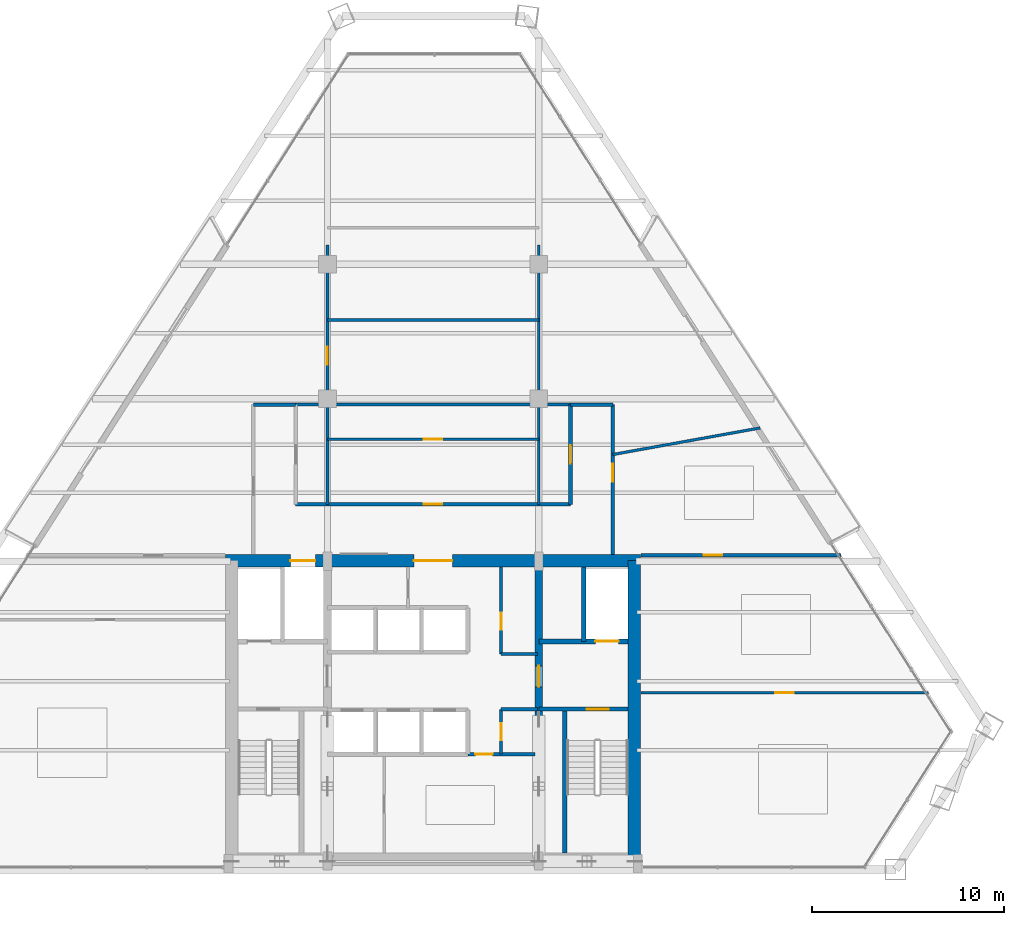
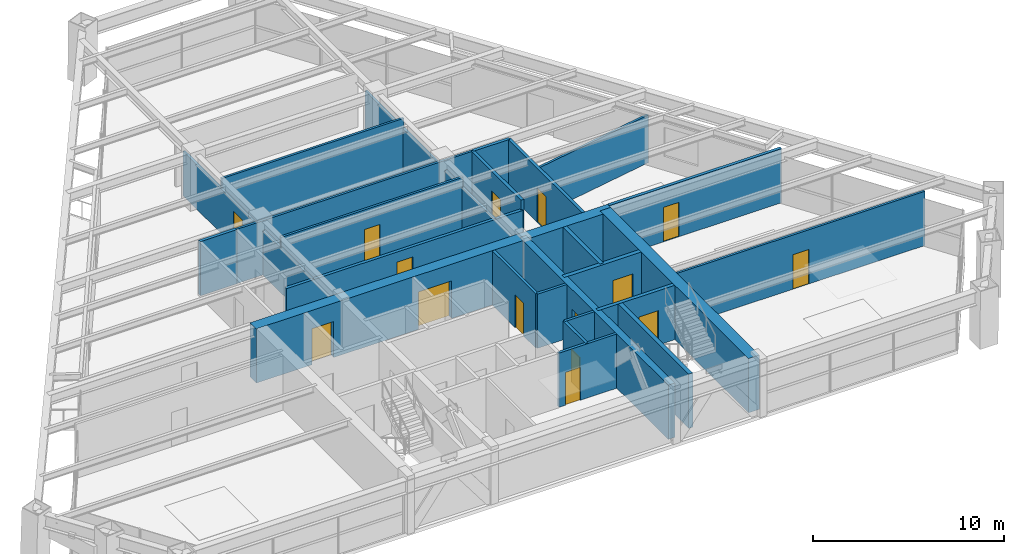
# One storey, part 12 of 15: 25 walls, 15 doors, 15 openings.
"""IFC4 building model written with IfcOpenShell, lengths in metres."""

from ifc_helpers import new_model, si_unit, direction, frame, frame_2d, origin, place, context, subcontext, project, spatial, rectangle, extrude, source, transform, mapped, material, layer, layer_set, type_object, type_shapes, element, fill, save


model = new_model("IFC4")

# Units and contexts
model_context = context("Model", 3, precision=1e-05, world=origin(), true_north=direction((0.0, 1.0)))
body_context = subcontext(model_context, "Body", "Model", "MODEL_VIEW")
ifc_project = project(units=[si_unit("LENGTHUNIT", "METRE"), si_unit("AREAUNIT", "SQUARE_METRE"), si_unit("VOLUMEUNIT", "CUBIC_METRE"), si_unit("PLANEANGLEUNIT", "RADIAN"), si_unit("MASSUNIT", "GRAM", prefix="KILO")], contexts=[model_context])

# Site, building, storey
site_placement = place(None, origin())
site = spatial("IfcSite", under=ifc_project, at=site_placement, CompositionType="ELEMENT")
building_placement = place(site_placement, origin())
building = spatial("IfcBuilding", under=site, at=building_placement, Name="Varnakhor Terracotta Tower", CompositionType="ELEMENT")
storey_placement = place(building_placement, frame((0.0, 0.0, 158.89990234375)))
storey = spatial("IfcBuildingStorey", under=building, at=storey_placement, Name="L40", CompositionType="ELEMENT", Elevation=158.89990234375)

# Wall, openings, doors
ifc_material_1 = material(Name="Concrete C50/60", Category="concrete")
ifc_layer_1 = layer(ifc_material_1, 0.64990234375, Name="Concrete C50/60")
ifc_layer_set_1 = layer_set([ifc_layer_1], Name="Concrete C50/60")
wall_type_1 = type_object("IfcWallType", Name="WAL-CORE-650", PredefinedType="SHEAR", material=ifc_layer_set_1)
wall_1_placement = place(storey_placement, frame((-10.800048828125, 16.074951171875, 0.0), z_axis=(0.0, 0.0, 1.0), x_axis=(1.0, 0.0, 0.0)))
wall_1 = element("IfcWall", 1, at=wall_1_placement, inside=storey, type_object=wall_type_1, Name="L40 North Core Shear Wall", PredefinedType="SHEAR", context=body_context, shape_type="SweptSolid", body=[
    extrude(rectangle(XDim=21.60009765625, YDim=0.64990234375, at=frame_2d((10.800048828125, 0.0))), origin(), (0.0, 0.0, 1.0), 3.47021484375),
])
opening_1_placement = place(wall_1_placement, frame((3.3701171875, 0.0, 0.0)))
opening_1 = element("IfcOpeningElement", 2, at=opening_1_placement, cuts=wall_1, Name="Opening LD-03", PredefinedType="OPENING", context=body_context, shape_type="SweptSolid", body=[
    extrude(rectangle(XDim=1.300048828125, YDim=2.300048828125, at=frame_2d((0.64990234375, 1.14990234375))), frame((0.0, 0.3349609375, 0.0), z_axis=(0.0, -1.0, 0.0), x_axis=(1.0, 0.0, 0.0)), (0.0, 0.0, 1.0), 0.669921875),
])
opening_2_placement = place(wall_1_placement, frame((9.800048828125, 0.0, 0.0)))
opening_2 = element("IfcOpeningElement", 3, at=opening_2_placement, cuts=wall_1, Name="Opening DR-32", PredefinedType="OPENING", context=body_context, shape_type="SweptSolid", body=[
    extrude(rectangle(XDim=2.0, YDim=2.39990234375, at=frame_2d((1.0, 1.199951171875))), frame((0.0, 0.3349609375, 0.0), z_axis=(0.0, -1.0, 0.0), x_axis=(1.0, 0.0, 0.0)), (0.0, 0.0, 1.0), 0.669921875),
])
ifc_material_2 = material(Name="Heavy-Duty Goods Sliding Lift Landing Door", Category="steel")
door_type_1 = type_object("IfcDoorType", Name="LD-SRV-1300X2300", OperationType="NOTDEFINED", PredefinedType="DOOR", material=ifc_material_2)
shared_shape_1 = source(origin(), body_context, "Body", "SweptSolid", [
    extrude(rectangle(XDim=1.300048828125, YDim=2.300048828125, at=frame_2d((0.64990234375, 1.14990234375))), frame((0.0, 0.02490234375, 0.0), z_axis=(0.0, -1.0, 0.0), x_axis=(1.0, 0.0, 0.0)), (0.0, 0.0, 1.0), 0.050048828125),
])
type_shapes(door_type_1, [shared_shape_1])
door_1_placement = place(opening_1_placement, origin())
door_1 = element("IfcDoor", 4, at=door_1_placement, inside=storey, type_object=door_type_1, Name="L40 Service Lift SVL-1 Landing Door", OperationType="SLIDING_TO_RIGHT", OverallHeight=2.300048828125, OverallWidth=1.300048828125, PredefinedType="DOOR", context=body_context, shape_type="MappedRepresentation", body=[
    mapped(shared_shape_1, transform((0.0, 0.0, 0.0), scale=1.0)),
])
fill(opening_1, door_1)
ifc_material_3 = material(Name="Acoustic Double Assembly Fire Door", Category="wood")
door_type_2 = type_object("IfcDoorType", Name="DR-HALL-2000X2400", OperationType="NOTDEFINED", PredefinedType="DOOR", material=ifc_material_3)
shared_shape_2 = source(origin(), body_context, "Body", "SweptSolid", [
    extrude(rectangle(XDim=2.0, YDim=2.39990234375, at=frame_2d((1.0, 1.199951171875))), frame((0.0, 0.02490234375, 0.0), z_axis=(0.0, -1.0, 0.0), x_axis=(1.0, 0.0, 0.0)), (0.0, 0.0, 1.0), 0.050048828125),
])
type_shapes(door_type_2, [shared_shape_2])
door_2_placement = place(opening_2_placement, origin())
door_2 = element("IfcDoor", 5, at=door_2_placement, inside=storey, type_object=door_type_2, Name="L40 Core Main Lobby Double Door", OperationType="DOUBLE_DOOR_SINGLE_SWING", OverallHeight=2.39990234375, OverallWidth=2.0, PredefinedType="DOOR", context=body_context, shape_type="MappedRepresentation", body=[
    mapped(shared_shape_2, transform((0.0, 0.0, 0.0), scale=1.0)),
])
fill(opening_2, door_2)

# Wall
wall_2_placement = place(storey_placement, frame((10.47509765625, 0.52490234375, 0.0), z_axis=(0.0, 0.0, 1.0), x_axis=(0.0, 1.0, 0.0)))
element("IfcWall", 6, at=wall_2_placement, inside=storey, type_object=wall_type_1, Name="L40 East Core Shear Wall", PredefinedType="SHEAR", context=body_context, shape_type="SweptSolid", body=[
    extrude(rectangle(XDim=15.550048828125, YDim=0.64990234375, at=frame_2d((7.77490234375, 0.0))), origin(), (0.0, 0.0, 1.0), 3.47021484375),
])

# Wall, opening, door
ifc_layer_2 = layer(ifc_material_1, 0.39990234375, Name="Concrete C50/60")
ifc_layer_set_2 = layer_set([ifc_layer_2], Name="Concrete C50/60")
wall_type_2 = type_object("IfcWallType", Name="WAL-CORE-WEB-400", PredefinedType="SHEAR", material=ifc_layer_set_2)
wall_3_placement = place(storey_placement, frame((5.5, 0.52490234375, 0.0), z_axis=(0.0, 0.0, 1.0), x_axis=(0.0, 1.0, 0.0)))
wall_3 = element("IfcWall", 7, at=wall_3_placement, inside=storey, type_object=wall_type_2, Name="L40 East Core Web Shear Wall", PredefinedType="SHEAR", context=body_context, shape_type="SweptSolid", body=[
    extrude(rectangle(XDim=15.550048828125, YDim=0.39990234375, at=frame_2d((7.77490234375, 0.0))), origin(), (0.0, 0.0, 1.0), 3.47021484375),
])
opening_3_placement = place(wall_3_placement, frame((8.97509765625, 0.0, 0.0)))
opening_3 = element("IfcOpeningElement", 8, at=opening_3_placement, cuts=wall_3, Name="Opening DR-25", PredefinedType="OPENING", context=body_context, shape_type="SweptSolid", body=[
    extrude(rectangle(XDim=1.10009765625, YDim=2.199951171875, at=frame_2d((0.550048828125, 1.10009765625))), frame((0.0, 0.2099609375, 0.0), z_axis=(0.0, -1.0, 0.0), x_axis=(1.0, 0.0, 0.0)), (0.0, 0.0, 1.0), 0.419921875),
])
ifc_material_4 = material(Name="Firefighting Lobby Self-Closing Fire Door", Category="steel")
door_type_3 = type_object("IfcDoorType", Name="DR-FFL-1100X2200", OperationType="NOTDEFINED", PredefinedType="DOOR", material=ifc_material_4)
shared_shape_3 = source(origin(), body_context, "Body", "SweptSolid", [
    extrude(rectangle(XDim=1.10009765625, YDim=2.199951171875, at=frame_2d((0.550048828125, 1.10009765625))), frame((0.0, 0.02490234375, 0.0), z_axis=(0.0, -1.0, 0.0), x_axis=(1.0, 0.0, 0.0)), (0.0, 0.0, 1.0), 0.050048828125),
])
type_shapes(door_type_3, [shared_shape_3])
door_3_placement = place(opening_3_placement, origin())
door_3 = element("IfcDoor", 9, at=door_3_placement, inside=storey, type_object=door_type_3, Name="L40 East Firefighting Lobby Door", OperationType="SINGLE_SWING_RIGHT", OverallHeight=2.199951171875, OverallWidth=1.10009765625, PredefinedType="DOOR", context=body_context, shape_type="MappedRepresentation", body=[
    mapped(shared_shape_3, transform((0.0, 0.0, 0.0), scale=1.0)),
])
fill(opening_3, door_3)

ifc_material_5 = material(Name="Fire-Rated Gypsum Stud Partition", Category="gypsum")
ifc_layer_3 = layer(ifc_material_5, 0.18505859375, Name="Fire-Rated Gypsum Stud Partition")
ifc_layer_set_3 = layer_set([ifc_layer_3], Name="Fire-Rated Gypsum Stud Partition")
wall_type_3 = type_object("IfcWallType", Name="WAL-CORR-185", PredefinedType="PARTITIONING", material=ifc_layer_set_3)
wall_4_placement = place(storey_placement, frame((-7.14990234375, 19.0, 0.0), z_axis=(0.0, 0.0, 1.0), x_axis=(1.0, 0.0, 0.0)))
wall_4 = element("IfcWall", 10, at=wall_4_placement, inside=storey, type_object=wall_type_3, Name="L40 Central Gallery Link Wall", PredefinedType="PARTITIONING", context=body_context, shape_type="SweptSolid", body=[
    extrude(rectangle(XDim=14.2998046875, YDim=0.18505859375, at=frame_2d((7.14990234375, 0.0))), origin(), (0.0, 0.0, 1.0), 2.84619140625),
])
opening_4_placement = place(wall_4_placement, frame((6.675048828125, 0.0, 0.0)))
opening_4 = element("IfcOpeningElement", 11, at=opening_4_placement, cuts=wall_4, Name="Opening DR-94", PredefinedType="OPENING", context=body_context, shape_type="SweptSolid", body=[
    extrude(rectangle(XDim=0.949951171875, YDim=2.199951171875, at=frame_2d((0.47509765625, 1.10009765625))), frame((0.0, 0.1025390625, 0.0), z_axis=(0.0, -1.0, 0.0), x_axis=(1.0, 0.0, 0.0)), (0.0, 0.0, 1.0), 0.205078125),
])
ifc_material_6 = material(Name="Acoustic Glazed-Vision Timber Office Door", Category="wood")
door_type_4 = type_object("IfcDoorType", Name="DR-OFF-950X2200", OperationType="NOTDEFINED", PredefinedType="DOOR", material=ifc_material_6)
shared_shape_4 = source(origin(), body_context, "Body", "SweptSolid", [
    extrude(rectangle(XDim=0.949951171875, YDim=2.199951171875, at=frame_2d((0.47509765625, 1.10009765625))), frame((0.0, 0.02490234375, 0.0), z_axis=(0.0, -1.0, 0.0), x_axis=(1.0, 0.0, 0.0)), (0.0, 0.0, 1.0), 0.050048828125),
])
type_shapes(door_type_4, [shared_shape_4])
door_4_placement = place(opening_4_placement, origin())
door_4 = element("IfcDoor", 12, at=door_4_placement, inside=storey, type_object=door_type_4, Name="L40 Center Suite Door", OperationType="SINGLE_SWING_RIGHT", OverallHeight=2.199951171875, OverallWidth=0.949951171875, PredefinedType="DOOR", context=body_context, shape_type="MappedRepresentation", body=[
    mapped(shared_shape_4, transform((0.0, 0.0, 0.0), scale=1.0)),
])
fill(opening_4, door_4)

wall_5_placement = place(storey_placement, frame((7.14990234375, 19.0, 0.0), z_axis=(0.0, 0.0, 1.0), x_axis=(0.0, 1.0, 0.0)))
wall_5 = element("IfcWall", 13, at=wall_5_placement, inside=storey, type_object=wall_type_3, Name="L40 East Gallery Inner Wall", PredefinedType="PARTITIONING", context=body_context, shape_type="SweptSolid", body=[
    extrude(rectangle(XDim=5.199951171875, YDim=0.18505859375, at=frame_2d((2.60009765625, 0.0))), origin(), (0.0, 0.0, 1.0), 3.462158203125),
])
opening_5_placement = place(wall_5_placement, frame((2.125, 0.0, 0.0)))
opening_5 = element("IfcOpeningElement", 14, at=opening_5_placement, cuts=wall_5, Name="Opening DR-94", PredefinedType="OPENING", context=body_context, shape_type="SweptSolid", body=[
    extrude(rectangle(XDim=0.949951171875, YDim=2.199951171875, at=frame_2d((0.47509765625, 1.10009765625))), frame((0.0, 0.1025390625, 0.0), z_axis=(0.0, -1.0, 0.0), x_axis=(1.0, 0.0, 0.0)), (0.0, 0.0, 1.0), 0.205078125),
])
door_5_placement = place(opening_5_placement, origin())
door_5 = element("IfcDoor", 15, at=door_5_placement, inside=storey, type_object=door_type_4, Name="L40 Clinic First Aid Room B9 Door", OperationType="SINGLE_SWING_RIGHT", OverallHeight=2.199951171875, OverallWidth=0.949951171875, PredefinedType="DOOR", context=body_context, shape_type="MappedRepresentation", body=[
    mapped(shared_shape_4, transform((0.0, 0.0, 0.0), scale=1.0)),
])
fill(opening_5, door_5)

wall_6_placement = place(storey_placement, frame((9.35009765625, 16.39990234375, 0.0), z_axis=(0.0, 0.0, 1.0), x_axis=(0.0, 1.0, 0.0)))
wall_6 = element("IfcWall", 16, at=wall_6_placement, inside=storey, type_object=wall_type_3, Name="L40 East Gallery Outer Wall", PredefinedType="PARTITIONING", context=body_context, shape_type="SweptSolid", body=[
    extrude(rectangle(XDim=7.800048828125, YDim=0.18505859375, at=frame_2d((3.89990234375, 0.0))), origin(), (0.0, 0.0, 1.0), 3.462158203125),
])
opening_6_placement = place(wall_6_placement, frame((3.781005859375, 0.0, 0.0)))
opening_6 = element("IfcOpeningElement", 17, at=opening_6_placement, cuts=wall_6, Name="Opening DR-94", PredefinedType="OPENING", context=body_context, shape_type="SweptSolid", body=[
    extrude(rectangle(XDim=0.949951171875, YDim=2.199951171875, at=frame_2d((0.47509765625, 1.10009765625))), frame((0.0, 0.1025390625, 0.0), z_axis=(0.0, -1.0, 0.0), x_axis=(1.0, 0.0, 0.0)), (0.0, 0.0, 1.0), 0.205078125),
])
door_6_placement = place(opening_6_placement, origin())
door_6 = element("IfcDoor", 18, at=door_6_placement, inside=storey, type_object=door_type_4, Name="L40 East Wing Door", OperationType="SINGLE_SWING_RIGHT", OverallHeight=2.199951171875, OverallWidth=0.949951171875, PredefinedType="DOOR", context=body_context, shape_type="MappedRepresentation", body=[
    mapped(shared_shape_4, transform((0.0, 0.0, 0.0), scale=1.0)),
])
fill(opening_6, door_6)

# Walls
for number, where, z_axis, x_axis, name in (
    (19, (-9.35009765625, 24.199951171875, 0.0), (0.0, 0.0, 1.0), (1.0, 0.0, 0.0), "L40 West Gallery North End"),
    (20, (7.14990234375, 24.199951171875, 0.0), (0.0, 0.0, 1.0), (1.0, 0.0, 0.0), "L40 East Gallery North End"),
):
    element("IfcWall", number, at=place(storey_placement, frame(where, z_axis=z_axis, x_axis=x_axis)), inside=storey, type_object=wall_type_3, Name=name, PredefinedType="PARTITIONING", context=body_context, shape_type="SweptSolid", body=[
        extrude(rectangle(XDim=2.2001953125, YDim=0.18505859375, at=frame_2d((1.10009765625, 0.0))), origin(), (0.0, 0.0, 1.0), 3.462158203125),
    ])

# Wall, opening, door
wall_7_placement = place(storey_placement, frame((10.820068359375, 16.35009765625, 0.0), z_axis=(0.0, 0.0, 1.0), x_axis=(1.0, 0.0, 0.0)))
wall_7 = element("IfcWall", 21, at=wall_7_placement, inside=storey, type_object=wall_type_3, Name="L40 South East Entry Wall", PredefinedType="PARTITIONING", context=body_context, shape_type="SweptSolid", body=[
    extrude(rectangle(XDim=10.416748046875, YDim=0.18505859375, at=frame_2d((5.20849609375, 0.0))), origin(), (0.0, 0.0, 1.0), 3.462158203125),
])
opening_7_placement = place(wall_7_placement, frame((3.272705078125, 0.0, 0.0)))
opening_7 = element("IfcOpeningElement", 22, at=opening_7_placement, cuts=wall_7, Name="Opening DR-94", PredefinedType="OPENING", context=body_context, shape_type="SweptSolid", body=[
    extrude(rectangle(XDim=0.949951171875, YDim=2.199951171875, at=frame_2d((0.47509765625, 1.10009765625))), frame((0.0, 0.1025390625, 0.0), z_axis=(0.0, -1.0, 0.0), x_axis=(1.0, 0.0, 0.0)), (0.0, 0.0, 1.0), 0.205078125),
])
door_7_placement = place(opening_7_placement, origin())
door_7 = element("IfcDoor", 23, at=door_7_placement, inside=storey, type_object=door_type_4, Name="L40 SE Suite Door", OperationType="SINGLE_SWING_RIGHT", OverallHeight=2.199951171875, OverallWidth=0.949951171875, PredefinedType="DOOR", context=body_context, shape_type="MappedRepresentation", body=[
    mapped(shared_shape_4, transform((0.0, 0.0, 0.0), scale=1.0)),
])
fill(opening_7, door_7)

ifc_material_7 = material(Name="Concrete C40/50", Category="concrete")
ifc_layer_4 = layer(ifc_material_7, 0.219970703125, Name="Concrete C40/50")
ifc_layer_set_4 = layer_set([ifc_layer_4], Name="Concrete C40/50")
wall_type_4 = type_object("IfcWallType", Name="WAL-FFLOBBY-220", PredefinedType="SOLIDWALL", material=ifc_layer_set_4)
wall_8_placement = place(storey_placement, frame((10.14990234375, 8.35009765625, 0.0), z_axis=(0.0, 0.0, 1.0), x_axis=(-1.0, 0.0, 0.0)))
wall_8 = element("IfcWall", 24, at=wall_8_placement, inside=storey, type_object=wall_type_4, Name="L40 East Firefighting Lobby Stair Wall", PredefinedType="SOLIDWALL", context=body_context, shape_type="SweptSolid", body=[
    extrude(rectangle(XDim=4.64990234375, YDim=0.219970703125, at=frame_2d((2.324951171875, 0.0))), origin(), (0.0, 0.0, 1.0), 3.47021484375),
])
opening_8_placement = place(wall_8_placement, frame((1.0, 0.0, 0.0)))
opening_8 = element("IfcOpeningElement", 25, at=opening_8_placement, cuts=wall_8, Name="Opening DR-34", PredefinedType="OPENING", context=body_context, shape_type="SweptSolid", body=[
    extrude(rectangle(XDim=1.14990234375, YDim=2.199951171875, at=frame_2d((0.574951171875, 1.10009765625))), frame((0.0, 0.1201171875, 0.0), z_axis=(0.0, -1.0, 0.0), x_axis=(1.0, 0.0, 0.0)), (0.0, 0.0, 1.0), 0.239990234375),
])
ifc_material_8 = material(Name="Self-Closing Smoke-Sealed Steel Fire Door", Category="steel")
door_type_5 = type_object("IfcDoorType", Name="DR-STAIR-1150X2200", OperationType="NOTDEFINED", PredefinedType="DOOR", material=ifc_material_8)
shared_shape_5 = source(origin(), body_context, "Body", "SweptSolid", [
    extrude(rectangle(XDim=1.14990234375, YDim=2.199951171875, at=frame_2d((0.574951171875, 1.10009765625))), frame((0.0, 0.02490234375, 0.0), z_axis=(0.0, -1.0, 0.0), x_axis=(1.0, 0.0, 0.0)), (0.0, 0.0, 1.0), 0.050048828125),
])
type_shapes(door_type_5, [shared_shape_5])
door_8_placement = place(opening_8_placement, origin())
door_8 = element("IfcDoor", 26, at=door_8_placement, inside=storey, type_object=door_type_5, Name="L40 Exit Stair ST-2 Fire Door", OperationType="SINGLE_SWING_LEFT", OverallHeight=2.199951171875, OverallWidth=1.14990234375, PredefinedType="DOOR", context=body_context, shape_type="MappedRepresentation", body=[
    mapped(shared_shape_5, transform((0.0, 0.0, 0.0), scale=1.0)),
])
fill(opening_8, door_8)

# Wall
ifc_material_9 = material(Name="Acoustic Metal-Stud Partition", Category="gypsum")
ifc_layer_5 = layer(ifc_material_9, 0.139892578125, Name="Acoustic Metal-Stud Partition")
ifc_layer_set_5 = layer_set([ifc_layer_5], Name="Acoustic Metal-Stud Partition")
wall_type_5 = type_object("IfcWallType", Name="WAL-PART-140", PredefinedType="PARTITIONING", material=ifc_layer_set_5)
wall_9_placement = place(storey_placement, frame((-7.14990234375, 24.199951171875, 0.0), z_axis=(0.0, 0.0, 1.0), x_axis=(1.0, 0.0, 0.0)))
element("IfcWall", 27, at=wall_9_placement, inside=storey, type_object=wall_type_5, Name="L40 Gallery Center Cap Wall", PredefinedType="PARTITIONING", context=body_context, shape_type="SweptSolid", body=[
    extrude(rectangle(XDim=14.2998046875, YDim=0.139892578125, at=frame_2d((7.14990234375, 0.0))), origin(), (0.0, 0.0, 1.0), 3.462158203125),
])

# Wall, opening, door
wall_10_placement = place(storey_placement, frame((-5.5, 19.0, 0.0), z_axis=(0.0, 0.0, 1.0), x_axis=(0.0, 1.0, 0.0)))
wall_10 = element("IfcWall", 28, at=wall_10_placement, inside=storey, type_object=wall_type_5, Name="L40 Center West Column Wall", PredefinedType="PARTITIONING", context=body_context, shape_type="SweptSolid", body=[
    extrude(rectangle(XDim=13.5, YDim=0.139892578125, at=frame_2d((6.75, 0.0))), origin(), (0.0, 0.0, 1.0), 2.84619140625),
])
opening_9_placement = place(wall_10_placement, frame((7.264404296875, 0.0, 0.0)))
opening_9 = element("IfcOpeningElement", 29, at=opening_9_placement, cuts=wall_10, Name="Opening DR-94", PredefinedType="OPENING", context=body_context, shape_type="SweptSolid", body=[
    extrude(rectangle(XDim=0.949951171875, YDim=2.199951171875, at=frame_2d((0.47509765625, 1.10009765625))), frame((0.0, 0.080078125, 0.0), z_axis=(0.0, -1.0, 0.0), x_axis=(1.0, 0.0, 0.0)), (0.0, 0.0, 1.0), 0.159912109375),
])
door_9_placement = place(opening_9_placement, origin())
door_9 = element("IfcDoor", 30, at=door_9_placement, inside=storey, type_object=door_type_4, Name="L40 Concierge Reception 2 B11 Door", OperationType="SINGLE_SWING_RIGHT", OverallHeight=2.199951171875, OverallWidth=0.949951171875, PredefinedType="DOOR", context=body_context, shape_type="MappedRepresentation", body=[
    mapped(shared_shape_4, transform((0.0, 0.0, 0.0), scale=1.0)),
])
fill(opening_9, door_9)

# Wall
wall_11_placement = place(storey_placement, frame((5.5, 19.0, 0.0), z_axis=(0.0, 0.0, 1.0), x_axis=(0.0, 1.0, 0.0)))
element("IfcWall", 31, at=wall_11_placement, inside=storey, type_object=wall_type_5, Name="L40 Center East Column Wall", PredefinedType="PARTITIONING", context=body_context, shape_type="SweptSolid", body=[
    extrude(rectangle(XDim=13.5, YDim=0.139892578125, at=frame_2d((6.75, 0.0))), origin(), (0.0, 0.0, 1.0), 2.84619140625),
])

# Wall, opening, door
wall_12_placement = place(storey_placement, frame((-5.5, 22.39990234375, 0.0), z_axis=(0.0, 0.0, 1.0), x_axis=(1.0, 0.0, 0.0)))
wall_12 = element("IfcWall", 32, at=wall_12_placement, inside=storey, type_object=wall_type_5, Name="L40 Center Cross Cut 1", PredefinedType="PARTITIONING", context=body_context, shape_type="SweptSolid", body=[
    extrude(rectangle(XDim=11.0, YDim=0.139892578125, at=frame_2d((5.5, 0.0))), origin(), (0.0, 0.0, 1.0), 3.462158203125),
])
opening_10_placement = place(wall_12_placement, frame((5.02490234375, 0.0, 0.0)))
opening_10 = element("IfcOpeningElement", 33, at=opening_10_placement, cuts=wall_12, Name="Opening DR-94", PredefinedType="OPENING", context=body_context, shape_type="SweptSolid", body=[
    extrude(rectangle(XDim=0.949951171875, YDim=2.199951171875, at=frame_2d((0.47509765625, 1.10009765625))), frame((0.0, 0.080078125, 0.0), z_axis=(0.0, -1.0, 0.0), x_axis=(1.0, 0.0, 0.0)), (0.0, 0.0, 1.0), 0.159912109375),
])
door_10_placement = place(opening_10_placement, origin())
door_10 = element("IfcDoor", 34, at=door_10_placement, inside=storey, type_object=door_type_4, Name="L40 Cinema Screening Salon Door", OperationType="SINGLE_SWING_LEFT", OverallHeight=2.199951171875, OverallWidth=0.949951171875, PredefinedType="DOOR", context=body_context, shape_type="MappedRepresentation", body=[
    mapped(shared_shape_4, transform((0.0, 0.0, 0.0), scale=1.0)),
])
fill(opening_10, door_10)

# Wall
wall_13_placement = place(storey_placement, frame((-5.5, 28.60009765625, 0.0), z_axis=(0.0, 0.0, 1.0), x_axis=(1.0, 0.0, 0.0)))
element("IfcWall", 35, at=wall_13_placement, inside=storey, type_object=wall_type_5, Name="L40 Center Cross Cut 2", PredefinedType="PARTITIONING", context=body_context, shape_type="SweptSolid", body=[
    extrude(rectangle(XDim=11.0, YDim=0.139892578125, at=frame_2d((5.5, 0.0))), origin(), (0.0, 0.0, 1.0), 3.462158203125),
])

# Wall, opening, door
wall_14_placement = place(storey_placement, frame((10.820068359375, 9.199951171875, 0.0), z_axis=(0.0, 0.0, 1.0), x_axis=(1.0, 0.0, 0.0)))
wall_14 = element("IfcWall", 36, at=wall_14_placement, inside=storey, type_object=wall_type_5, Name="L40 East Wing Cut 1", PredefinedType="PARTITIONING", context=body_context, shape_type="SweptSolid", body=[
    extrude(rectangle(XDim=14.96142578125, YDim=0.139892578125, at=frame_2d((7.480712890625, 0.0))), origin(), (0.0, 0.0, 1.0), 3.462158203125),
])
opening_11_placement = place(wall_14_placement, frame((6.997802734375, 0.0, 0.0)))
opening_11 = element("IfcOpeningElement", 37, at=opening_11_placement, cuts=wall_14, Name="Opening DR-94", PredefinedType="OPENING", context=body_context, shape_type="SweptSolid", body=[
    extrude(rectangle(XDim=0.949951171875, YDim=2.199951171875, at=frame_2d((0.47509765625, 1.10009765625))), frame((0.0, 0.080078125, 0.0), z_axis=(0.0, -1.0, 0.0), x_axis=(1.0, 0.0, 0.0)), (0.0, 0.0, 1.0), 0.159912109375),
])
door_11_placement = place(opening_11_placement, origin())
door_11 = element("IfcDoor", 38, at=door_11_placement, inside=storey, type_object=door_type_4, Name="L40 Client Reception 1 SE Door", OperationType="SINGLE_SWING_LEFT", OverallHeight=2.199951171875, OverallWidth=0.949951171875, PredefinedType="DOOR", context=body_context, shape_type="MappedRepresentation", body=[
    mapped(shared_shape_4, transform((0.0, 0.0, 0.0), scale=1.0)),
])
fill(opening_11, door_11)

# Walls
wall_15_placement = place(storey_placement, frame((9.35009765625, 21.60009765625, 0.0), z_axis=(0.0, 0.0, 1.0), x_axis=(0.984141901037, 0.177382971628, 0.0)))
element("IfcWall", 39, at=wall_15_placement, inside=storey, type_object=wall_type_5, Name="L40 East Wing Cut 2", PredefinedType="PARTITIONING", context=body_context, shape_type="SweptSolid", body=[
    extrude(rectangle(XDim=7.794189453125, YDim=0.139892578125, at=frame_2d((3.89697265625, 0.0))), origin(), (0.0, 0.0, 1.0), 3.049072265625),
])
ifc_layer_6 = layer(ifc_material_7, 0.219970703125, Name="Concrete C40/50")
ifc_layer_set_6 = layer_set([ifc_layer_6], Name="Concrete C40/50")
wall_type_6 = type_object("IfcWallType", Name="WAL-SHAFT-220", PredefinedType="SOLIDWALL", material=ifc_layer_set_6)
wall_16_placement = place(storey_placement, frame((7.840087890625, 11.8701171875, 0.0), z_axis=(0.0, 0.0, 1.0), x_axis=(0.0, 1.0, 0.0)))
element("IfcWall", 40, at=wall_16_placement, inside=storey, type_object=wall_type_6, Name="L40 Lift FFL-2 and Riser Divider Wall", PredefinedType="SOLIDWALL", context=body_context, shape_type="SweptSolid", body=[
    extrude(rectangle(XDim=3.8798828125, YDim=0.219970703125, at=frame_2d((1.93994140625, 0.0))), origin(), (0.0, 0.0, 1.0), 3.47021484375),
])
ifc_layer_7 = layer(ifc_material_7, 0.25, Name="Concrete C40/50")
ifc_layer_set_7 = layer_set([ifc_layer_7], Name="Concrete C40/50")
wall_type_7 = type_object("IfcWallType", Name="WAL-SHAFT-250", PredefinedType="SOLIDWALL", material=ifc_layer_set_7)
wall_17_placement = place(storey_placement, frame((6.85009765625, 0.85009765625, 0.0), z_axis=(0.0, 0.0, 1.0), x_axis=(0.0, 1.0, 0.0)))
element("IfcWall", 41, at=wall_17_placement, inside=storey, type_object=wall_type_7, Name="L40 Stair ST-2 Bearing Shaft Wall", PredefinedType="SOLIDWALL", context=body_context, shape_type="SweptSolid", body=[
    extrude(rectangle(XDim=7.5, YDim=0.25, at=frame_2d((3.75, 0.0))), origin(), (0.0, 0.0, 1.0), 3.47021484375),
])

# Wall, opening, door
wall_18_placement = place(storey_placement, frame((10.14990234375, 11.8701171875, 0.0), z_axis=(0.0, 0.0, 1.0), x_axis=(-1.0, 0.0, 0.0)))
wall_18 = element("IfcWall", 42, at=wall_18_placement, inside=storey, type_object=wall_type_7, Name="L40 Lift FFL-2 Shaft Front Wall", PredefinedType="SOLIDWALL", context=body_context, shape_type="SweptSolid", body=[
    extrude(rectangle(XDim=4.64990234375, YDim=0.25, at=frame_2d((2.324951171875, 0.0))), origin(), (0.0, 0.0, 1.0), 3.47021484375),
])
opening_12_placement = place(wall_18_placement, frame((0.5, 0.0, 0.0)))
opening_12 = element("IfcOpeningElement", 43, at=opening_12_placement, cuts=wall_18, Name="Opening LD-02", PredefinedType="OPENING", context=body_context, shape_type="SweptSolid", body=[
    extrude(rectangle(XDim=1.199951171875, YDim=2.25, at=frame_2d((0.60009765625, 1.125))), frame((0.0, 0.135009765625, 0.0), z_axis=(0.0, -1.0, 0.0), x_axis=(1.0, 0.0, 0.0)), (0.0, 0.0, 1.0), 0.27001953125),
])
ifc_material_10 = material(Name="Firefighting Stretcher Sliding Lift Landing Door", Category="steel")
door_type_6 = type_object("IfcDoorType", Name="LD-FFL-1200X2250", OperationType="NOTDEFINED", PredefinedType="DOOR", material=ifc_material_10)
shared_shape_6 = source(origin(), body_context, "Body", "SweptSolid", [
    extrude(rectangle(XDim=1.199951171875, YDim=2.25, at=frame_2d((0.60009765625, 1.125))), frame((0.0, 0.02490234375, 0.0), z_axis=(0.0, -1.0, 0.0), x_axis=(1.0, 0.0, 0.0)), (0.0, 0.0, 1.0), 0.050048828125),
])
type_shapes(door_type_6, [shared_shape_6])
door_12_placement = place(opening_12_placement, origin())
door_12 = element("IfcDoor", 44, at=door_12_placement, inside=storey, type_object=door_type_6, Name="L40 Firefighting Lift FFL-2 Landing Door", OperationType="SLIDING_TO_RIGHT", OverallHeight=2.25, OverallWidth=1.199951171875, PredefinedType="DOOR", context=body_context, shape_type="MappedRepresentation", body=[
    mapped(shared_shape_6, transform((0.0, 0.0, 0.0), scale=1.0)),
])
fill(opening_12, door_12)

ifc_material_11 = material(Name="Acoustic Fire-Rated Partition", Category="gypsum")
ifc_layer_8 = layer(ifc_material_11, 0.1650390625, Name="Acoustic Fire-Rated Partition")
ifc_layer_set_8 = layer_set([ifc_layer_8], Name="Acoustic Fire-Rated Partition")
wall_type_8 = type_object("IfcWallType", Name="WAL-TENANCY-165", PredefinedType="PARTITIONING", material=ifc_layer_set_8)
wall_19_placement = place(storey_placement, frame((1.820068359375, 6.0, 0.0), z_axis=(0.0, 0.0, 1.0), x_axis=(1.0, 0.0, 0.0)))
wall_19 = element("IfcWall", 45, at=wall_19_placement, inside=storey, type_object=wall_type_8, Name="L40 Reclaimed Core Bay North Rated Wall", PredefinedType="PARTITIONING", context=body_context, shape_type="SweptSolid", body=[
    extrude(rectangle(XDim=3.47998046875, YDim=0.1650390625, at=frame_2d((1.739990234375, 0.0))), origin(), (0.0, 0.0, 1.0), 3.462158203125),
])
opening_13_placement = place(wall_19_placement, frame((0.3798828125, 0.0, 0.0)))
opening_13 = element("IfcOpeningElement", 46, at=opening_13_placement, cuts=wall_19, Name="Opening DR-67", PredefinedType="OPENING", context=body_context, shape_type="SweptSolid", body=[
    extrude(rectangle(XDim=0.89990234375, YDim=2.10009765625, at=frame_2d((0.449951171875, 1.050048828125))), frame((0.0, 0.092529296875, 0.0), z_axis=(0.0, -1.0, 0.0), x_axis=(1.0, 0.0, 0.0)), (0.0, 0.0, 1.0), 0.18505859375),
])
ifc_material_12 = material(Name="Steel Service Riser Fire Door", Category="steel")
door_type_7 = type_object("IfcDoorType", Name="DR-RISER-900X2100", OperationType="NOTDEFINED", PredefinedType="DOOR", material=ifc_material_12)
shared_shape_7 = source(origin(), body_context, "Body", "SweptSolid", [
    extrude(rectangle(XDim=0.89990234375, YDim=2.10009765625, at=frame_2d((0.449951171875, 1.050048828125))), frame((0.0, 0.02490234375, 0.0), z_axis=(0.0, -1.0, 0.0), x_axis=(1.0, 0.0, 0.0)), (0.0, 0.0, 1.0), 0.050048828125),
])
type_shapes(door_type_7, [shared_shape_7])
door_13_placement = place(opening_13_placement, origin())
door_13 = element("IfcDoor", 47, at=door_13_placement, inside=storey, type_object=door_type_7, Name="L40 Core Reclaimed Suite Door", OperationType="SINGLE_SWING_LEFT", OverallHeight=2.10009765625, OverallWidth=0.89990234375, PredefinedType="DOOR", context=body_context, shape_type="MappedRepresentation", body=[
    mapped(shared_shape_7, transform((0.0, 0.0, 0.0), scale=1.0)),
])
fill(opening_13, door_13)

wall_20_placement = place(storey_placement, frame((3.5400390625, 6.0, 0.0), z_axis=(0.0, 0.0, 1.0), x_axis=(0.0, 1.0, 0.0)))
wall_20 = element("IfcWall", 48, at=wall_20_placement, inside=storey, type_object=wall_type_8, Name="L40 Accessible WC Rated Wall", PredefinedType="PARTITIONING", context=body_context, shape_type="SweptSolid", body=[
    extrude(rectangle(XDim=2.340087890625, YDim=0.1650390625, at=frame_2d((1.169921875, 0.0))), origin(), (0.0, 0.0, 1.0), 3.462158203125),
])
opening_14_placement = place(wall_20_placement, frame((0.719970703125, 0.0, 0.0)))
opening_14 = element("IfcOpeningElement", 49, at=opening_14_placement, cuts=wall_20, Name="Opening DR-67", PredefinedType="OPENING", context=body_context, shape_type="SweptSolid", body=[
    extrude(rectangle(XDim=0.89990234375, YDim=2.10009765625, at=frame_2d((0.449951171875, 1.050048828125))), frame((0.0, 0.092529296875, 0.0), z_axis=(0.0, -1.0, 0.0), x_axis=(1.0, 0.0, 0.0)), (0.0, 0.0, 1.0), 0.18505859375),
])
door_14_placement = place(opening_14_placement, origin())
door_14 = element("IfcDoor", 50, at=door_14_placement, inside=storey, type_object=door_type_7, Name="L40 Accessible WC Door", OperationType="SINGLE_SWING_LEFT", OverallHeight=2.10009765625, OverallWidth=0.89990234375, PredefinedType="DOOR", context=body_context, shape_type="MappedRepresentation", body=[
    mapped(shared_shape_7, transform((0.0, 0.0, 0.0), scale=1.0)),
])
fill(opening_14, door_14)

# Wall
wall_21_placement = place(storey_placement, frame((3.5400390625, 8.340087890625, 0.0), z_axis=(0.0, 0.0, 1.0), x_axis=(1.0, 0.0, 0.0)))
element("IfcWall", 51, at=wall_21_placement, inside=storey, type_object=wall_type_8, Name="L40 Accessible WC North Wall", PredefinedType="PARTITIONING", context=body_context, shape_type="SweptSolid", body=[
    extrude(rectangle(XDim=1.8798828125, YDim=0.1650390625, at=frame_2d((0.93994140625, 0.0))), origin(), (0.0, 0.0, 1.0), 3.462158203125),
])

# Wall, opening, door
wall_22_placement = place(storey_placement, frame((3.5400390625, 11.219970703125, 0.0), z_axis=(0.0, 0.0, 1.0), x_axis=(0.0, 1.0, 0.0)))
wall_22 = element("IfcWall", 52, at=wall_22_placement, inside=storey, type_object=wall_type_8, Name="L40 Restroom Corridor Wall", PredefinedType="PARTITIONING", context=body_context, shape_type="SweptSolid", body=[
    extrude(rectangle(XDim=4.530029296875, YDim=0.1650390625, at=frame_2d((2.26513671875, 0.0))), origin(), (0.0, 0.0, 1.0), 3.462158203125),
])
opening_15_placement = place(wall_22_placement, frame((1.25, 0.0, 0.0)))
opening_15 = element("IfcOpeningElement", 53, at=opening_15_placement, cuts=wall_22, Name="Opening DR-67", PredefinedType="OPENING", context=body_context, shape_type="SweptSolid", body=[
    extrude(rectangle(XDim=0.89990234375, YDim=2.10009765625, at=frame_2d((0.449951171875, 1.050048828125))), frame((0.0, 0.092529296875, 0.0), z_axis=(0.0, -1.0, 0.0), x_axis=(1.0, 0.0, 0.0)), (0.0, 0.0, 1.0), 0.18505859375),
])
door_15_placement = place(opening_15_placement, origin())
door_15 = element("IfcDoor", 54, at=door_15_placement, inside=storey, type_object=door_type_7, Name="L40 Female WC Door", OperationType="SINGLE_SWING_LEFT", OverallHeight=2.10009765625, OverallWidth=0.89990234375, PredefinedType="DOOR", context=body_context, shape_type="MappedRepresentation", body=[
    mapped(shared_shape_7, transform((0.0, 0.0, 0.0), scale=1.0)),
])
fill(opening_15, door_15)

# Wall
wall_23_placement = place(storey_placement, frame((3.5400390625, 11.219970703125, 0.0), z_axis=(0.0, 0.0, 1.0), x_axis=(1.0, 0.0, 0.0)))
element("IfcWall", 55, at=wall_23_placement, inside=storey, type_object=wall_type_8, Name="L40 Restroom South Wall", PredefinedType="PARTITIONING", context=body_context, shape_type="SweptSolid", body=[
    extrude(rectangle(XDim=1.8798828125, YDim=0.1650390625, at=frame_2d((0.93994140625, 0.0))), origin(), (0.0, 0.0, 1.0), 3.462158203125),
])

save(model, "model.ifc")
